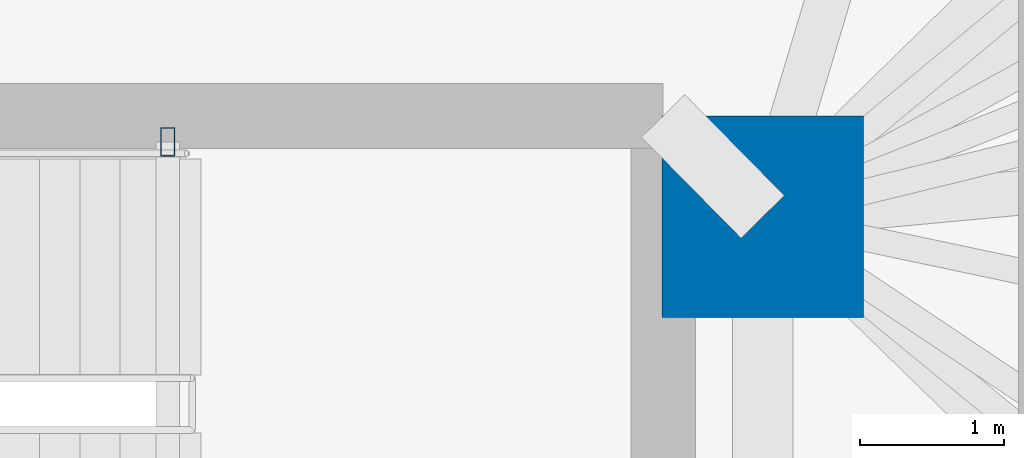
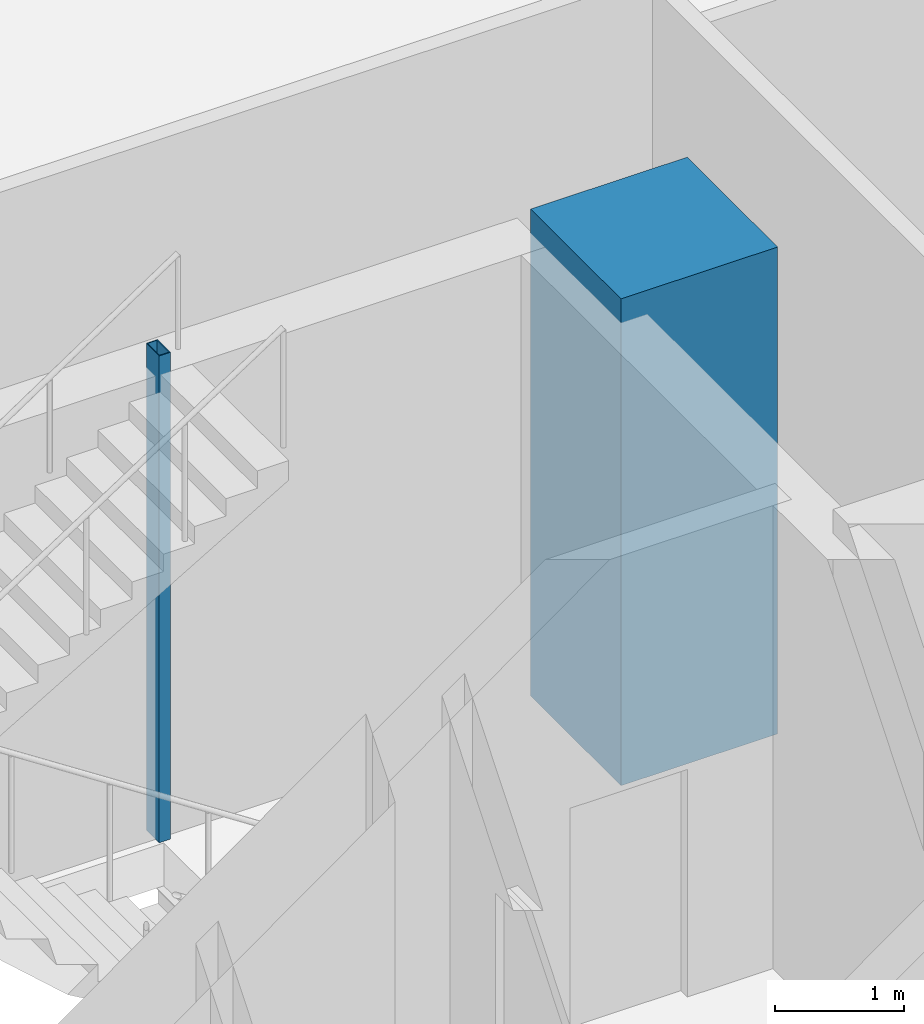
# One storey, part 4 of 17: 2 columns.
"""IFC4 building model written with IfcOpenShell, lengths in metres."""

from ifc_helpers import new_model, si_unit, direction, frame, origin, origin_2d, place, context, subcontext, project, spatial, rectangle, hollow_rectangle, extrude, material, material_profile, profile_set, type_object, element, save


model = new_model("IFC4")

# Units and contexts
model_context = context("Model", 3, precision=1e-05, world=origin(), true_north=direction((0.0, 1.0)))
body_context = subcontext(model_context, "Body", "Model", "MODEL_VIEW")
ifc_project = project(units=[si_unit("LENGTHUNIT", "METRE"), si_unit("AREAUNIT", "SQUARE_METRE"), si_unit("VOLUMEUNIT", "CUBIC_METRE"), si_unit("PLANEANGLEUNIT", "RADIAN"), si_unit("MASSUNIT", "GRAM", prefix="KILO")], contexts=[model_context])

# Site, building, storey
site_placement = place(None, origin())
site = spatial("IfcSite", under=ifc_project, at=site_placement, CompositionType="ELEMENT")
building_placement = place(site_placement, origin())
building = spatial("IfcBuilding", under=site, at=building_placement, Name="Menara Jurai Vektor", CompositionType="ELEMENT")
storey_placement = place(building_placement, frame((0.0, 0.0, 9.60009765625)))
storey = spatial("IfcBuildingStorey", under=building, at=storey_placement, Name="L01", CompositionType="ELEMENT", Elevation=9.60009765625)

# Columns
ifc_material_1 = material(Name="Concrete C60/75", Category="concrete")
ifc_material_profile_1 = material_profile(ifc_material_1, rectangle(XDim=1.39990234375, YDim=1.39990234375, at=origin_2d()), Name="RC 1400x1400")
ifc_profile_set_1 = profile_set([ifc_material_profile_1], Name="Concrete C60/75")
column_type_1 = type_object("IfcColumnType", Name="STR-COL-RC1400", PredefinedType="COLUMN", material=ifc_profile_set_1)
column_1_placement = place(storey_placement, frame((15.25, 4.89990234375, 0.0), z_axis=(0.0, 0.0, 1.0), x_axis=(1.0, 0.0, 0.0)))
element("IfcColumn", 1, at=column_1_placement, inside=storey, type_object=column_type_1, Name="Core Spine Column CE-NE L01", PredefinedType="COLUMN", context=body_context, shape_type="SweptSolid", body=[
    extrude(rectangle(XDim=1.39990234375, YDim=1.39990234375, at=origin_2d()), origin(), (0.0, 0.0, 1.0), 4.599853515625),
])
ifc_material_2 = material(Name="Steel S355", Category="steel")
ifc_material_profile_2 = material_profile(ifc_material_2, hollow_rectangle(XDim=0.10009765625, YDim=0.199951171875, WallThickness=0.008056640625, at=origin_2d()), Name="RHS 200x100x8")
ifc_profile_set_2 = profile_set([ifc_material_profile_2], Name="Steel S355")
column_type_2 = type_object("IfcColumnType", Name="STR-COL-STAIR", PredefinedType="COLUMN", material=ifc_profile_set_2)
column_2_placement = place(storey_placement, frame((11.1201171875, 5.419921875, 0.0), z_axis=(0.0, 0.0, 1.0), x_axis=(1.0, 0.0, 0.0)))
element("IfcColumn", 2, at=column_2_placement, inside=storey, type_object=column_type_2, Name="Stair Well Header Column ST2-P2 L01", PredefinedType="COLUMN", context=body_context, shape_type="SweptSolid", body=[
    extrude(hollow_rectangle(XDim=0.10009765625, YDim=0.199951171875, WallThickness=0.008056640625, at=origin_2d()), origin(), (0.0, 0.0, 1.0), 4.599853515625),
])

save(model, "model.ifc")
